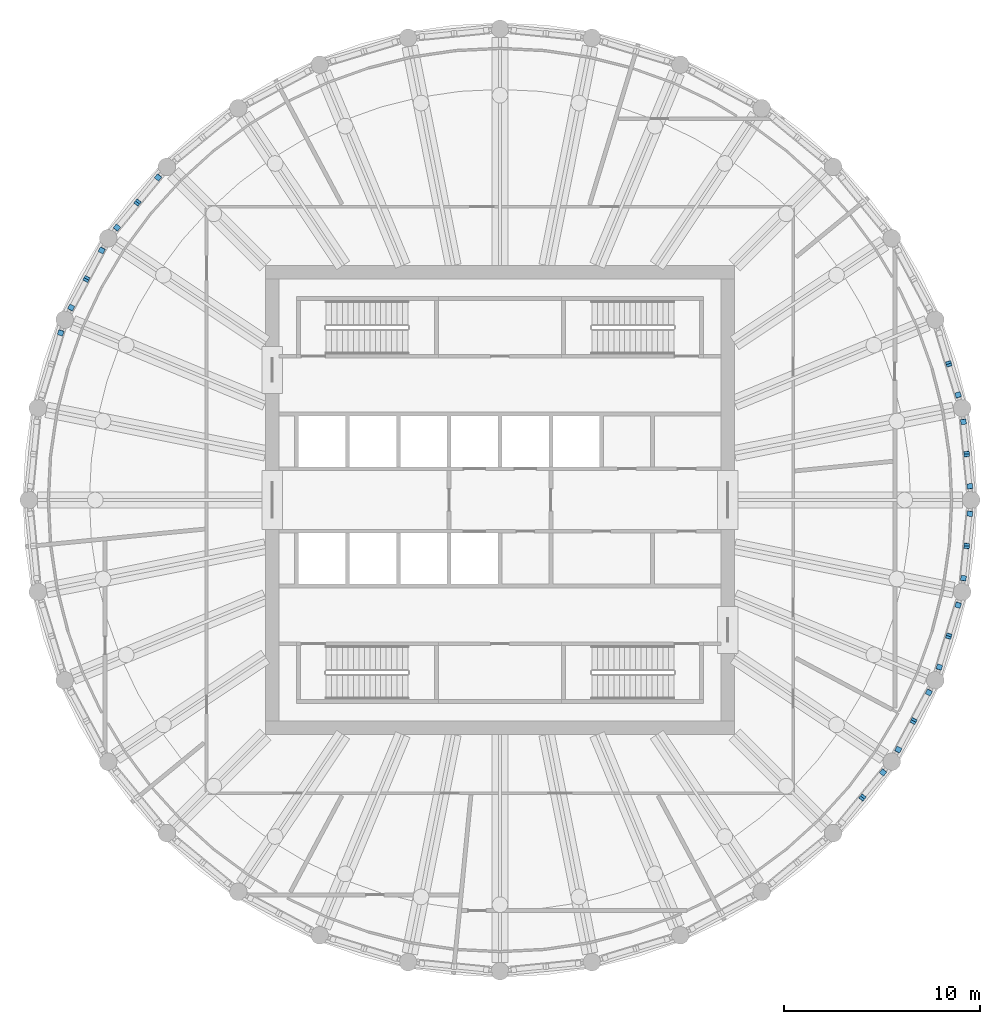
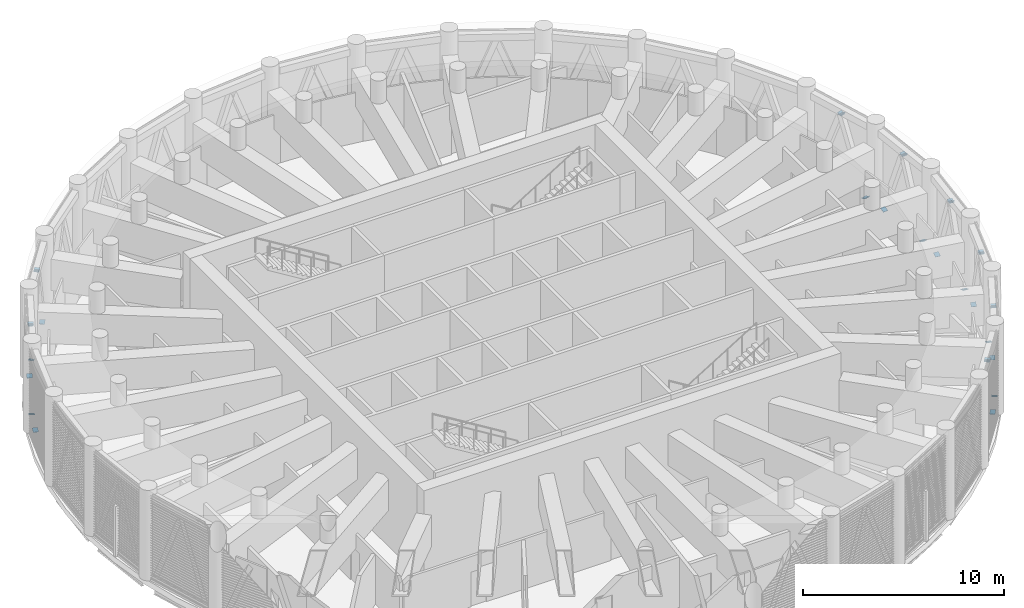
# One storey, part 10 of 19: 31 discrete accessories.
"""IFC4 building model written with IfcOpenShell, lengths in metres."""

from ifc_helpers import new_model, si_unit, direction, frame, origin, origin_2d, place, context, subcontext, project, spatial, rectangle, extrude, material, material_profile, profile_set, type_object, element, save


model = new_model("IFC4")

# Units and contexts
model_context = context("Model", 3, precision=1e-05, world=origin(), true_north=direction((0.0, 1.0)))
body_context = subcontext(model_context, "Body", "Model", "MODEL_VIEW")
ifc_project = project(units=[si_unit("LENGTHUNIT", "METRE"), si_unit("AREAUNIT", "SQUARE_METRE"), si_unit("VOLUMEUNIT", "CUBIC_METRE"), si_unit("PLANEANGLEUNIT", "RADIAN"), si_unit("MASSUNIT", "GRAM", prefix="KILO")], contexts=[model_context])

# Site, building, storey
site_placement = place(None, origin())
site = spatial("IfcSite", under=ifc_project, at=site_placement, CompositionType="ELEMENT")
building_placement = place(site_placement, origin())
building = spatial("IfcBuilding", under=site, at=building_placement, Name="Corvane Civic Tower", CompositionType="ELEMENT")
storey_placement = place(building_placement, frame((0.0, 0.0, 319.0)))
storey = spatial("IfcBuildingStorey", under=building, at=storey_placement, Name="L76", CompositionType="ELEMENT", Elevation=319.0)

# Discrete accessories
ifc_material = material(Name="Steel ASTM A572 Gr 50", Category="steel")
ifc_material_profile = material_profile(ifc_material, rectangle(XDim=0.2802734375, YDim=0.2802734375, at=origin_2d()), Name="GUSSET PLATE 25 IN HSS12X12X1/2")
ifc_profile_set = profile_set([ifc_material_profile], Name="Steel ASTM A572 Gr 50")
discrete_accessory_type = type_object("IfcDiscreteAccessoryType", Name="GUSSET PLATE 25 IN HSS12X12X1/2", PredefinedType="BRACKET", material=ifc_profile_set)
discrete_accessory_1_placement = place(storey_placement, frame((22.951171875, 6.962158203125, 4.74365234375), z_axis=(-0.107033469557, 0.340561039499, -0.934110279769), x_axis=(-0.953993716901, -0.29982659674, 0.0)))
element("IfcDiscreteAccessory", 1, at=discrete_accessory_1_placement, inside=storey, type_object=discrete_accessory_type, Name="Gusset plate BD1 end B", PredefinedType="BRACKET", context=body_context, shape_type="SweptSolid", body=[
    extrude(rectangle(XDim=0.2802734375, YDim=0.2802734375, at=origin_2d()), origin(), (0.0, 0.0, 1.0), 0.025146484375),
])
discrete_accessory_2_placement = place(storey_placement, frame((23.433837890625, 5.37158203125, 0.406494140625), z_axis=(-0.108014576703, 0.343682744054, 0.932853162432), x_axis=(-0.953993716901, -0.29982659674, 0.0)))
element("IfcDiscreteAccessory", 2, at=discrete_accessory_2_placement, inside=storey, type_object=discrete_accessory_type, Name="Gusset plate BD1 end A", PredefinedType="BRACKET", context=body_context, shape_type="SweptSolid", body=[
    extrude(rectangle(XDim=0.2802734375, YDim=0.2802734375, at=origin_2d()), origin(), (0.0, 0.0, 1.0), 0.02490234375),
])
discrete_accessory_3_placement = place(storey_placement, frame((22.951171875, 6.962158203125, 4.74365234375), z_axis=(0.107033469557, -0.340561039499, -0.934110279769), x_axis=(0.953993716901, 0.29982659674, 0.0)))
element("IfcDiscreteAccessory", 3, at=discrete_accessory_3_placement, inside=storey, type_object=discrete_accessory_type, Name="Gusset plate BD1 end B", PredefinedType="BRACKET", context=body_context, shape_type="SweptSolid", body=[
    extrude(rectangle(XDim=0.2802734375, YDim=0.2802734375, at=origin_2d()), origin(), (0.0, 0.0, 1.0), 0.025146484375),
])
discrete_accessory_4_placement = place(storey_placement, frame((23.70556640625, 4.005126953125, 0.406494140625), z_axis=(0.039204383295, -0.36264054548, 0.931104103258), x_axis=(0.994207047566, 0.10748184298, 0.0)))
element("IfcDiscreteAccessory", 4, at=discrete_accessory_4_placement, inside=storey, type_object=discrete_accessory_type, Name="Gusset plate BD1 end A", PredefinedType="BRACKET", context=body_context, shape_type="SweptSolid", body=[
    extrude(rectangle(XDim=0.2802734375, YDim=0.2802734375, at=origin_2d()), origin(), (0.0, 0.0, 1.0), 0.02490234375),
])
discrete_accessory_5_placement = place(storey_placement, frame((23.868408203125, 2.350830078125, 4.74365234375), z_axis=(-0.029247769029, 0.350973228344, -0.935928608919), x_axis=(-0.996545758245, -0.083045479854, 0.0)))
element("IfcDiscreteAccessory", 5, at=discrete_accessory_5_placement, inside=storey, type_object=discrete_accessory_type, Name="Gusset plate BD1 end B", PredefinedType="BRACKET", context=body_context, shape_type="SweptSolid", body=[
    extrude(rectangle(XDim=0.2802734375, YDim=0.2802734375, at=origin_2d()), origin(), (0.0, 0.0, 1.0), 0.025146484375),
])
discrete_accessory_6_placement = place(storey_placement, frame((24.031494140625, 0.696533203125, 0.406494140625), z_axis=(-0.039204383295, 0.36264054548, 0.931104103258), x_axis=(-0.994207047566, -0.10748184298, 0.0)))
element("IfcDiscreteAccessory", 6, at=discrete_accessory_6_placement, inside=storey, type_object=discrete_accessory_type, Name="Gusset plate BD1 end A", PredefinedType="BRACKET", context=body_context, shape_type="SweptSolid", body=[
    extrude(rectangle(XDim=0.2802734375, YDim=0.2802734375, at=origin_2d()), origin(), (0.0, 0.0, 1.0), 0.02490234375),
])
discrete_accessory_7_placement = place(storey_placement, frame((23.868408203125, 2.350830078125, 4.74365234375), z_axis=(0.038984058779, -0.350856529013, -0.935617410703), x_axis=(0.993883734674, 0.110431526075, 0.0)))
element("IfcDiscreteAccessory", 7, at=discrete_accessory_7_placement, inside=storey, type_object=discrete_accessory_type, Name="Gusset plate BD1 end B", PredefinedType="BRACKET", context=body_context, shape_type="SweptSolid", body=[
    extrude(rectangle(XDim=0.2802734375, YDim=0.2802734375, at=origin_2d()), origin(), (0.0, 0.0, 1.0), 0.025146484375),
])
discrete_accessory_8_placement = place(storey_placement, frame((24.031494140625, -0.696533203125, 0.406494140625), z_axis=(-0.039204383295, -0.36264054548, 0.931104103258), x_axis=(0.994207047566, -0.10748184298, 0.0)))
element("IfcDiscreteAccessory", 8, at=discrete_accessory_8_placement, inside=storey, type_object=discrete_accessory_type, Name="Gusset plate BD1 end A", PredefinedType="BRACKET", context=body_context, shape_type="SweptSolid", body=[
    extrude(rectangle(XDim=0.2802734375, YDim=0.2802734375, at=origin_2d()), origin(), (0.0, 0.0, 1.0), 0.02490234375),
])
discrete_accessory_9_placement = place(storey_placement, frame((23.868408203125, -2.350830078125, 4.74365234375), z_axis=(0.038984058779, 0.350856529013, -0.935617410703), x_axis=(-0.993883734674, 0.110431526075, 0.0)))
element("IfcDiscreteAccessory", 9, at=discrete_accessory_9_placement, inside=storey, type_object=discrete_accessory_type, Name="Gusset plate BD1 end B", PredefinedType="BRACKET", context=body_context, shape_type="SweptSolid", body=[
    extrude(rectangle(XDim=0.2802734375, YDim=0.2802734375, at=origin_2d()), origin(), (0.0, 0.0, 1.0), 0.025146484375),
])
discrete_accessory_10_placement = place(storey_placement, frame((23.70556640625, -4.005126953125, 0.406494140625), z_axis=(0.039204383295, 0.36264054548, 0.931104103258), x_axis=(-0.994207047566, 0.10748184298, 0.0)))
element("IfcDiscreteAccessory", 10, at=discrete_accessory_10_placement, inside=storey, type_object=discrete_accessory_type, Name="Gusset plate BD1 end A", PredefinedType="BRACKET", context=body_context, shape_type="SweptSolid", body=[
    extrude(rectangle(XDim=0.2802734375, YDim=0.2802734375, at=origin_2d()), origin(), (0.0, 0.0, 1.0), 0.02490234375),
])
discrete_accessory_11_placement = place(storey_placement, frame((23.868408203125, -2.350830078125, 4.74365234375), z_axis=(-0.029247769029, -0.350973228344, -0.935928608919), x_axis=(0.996545758245, -0.083045479854, 0.0)))
element("IfcDiscreteAccessory", 11, at=discrete_accessory_11_placement, inside=storey, type_object=discrete_accessory_type, Name="Gusset plate BD1 end B", PredefinedType="BRACKET", context=body_context, shape_type="SweptSolid", body=[
    extrude(rectangle(XDim=0.2802734375, YDim=0.2802734375, at=origin_2d()), origin(), (0.0, 0.0, 1.0), 0.025146484375),
])
discrete_accessory_12_placement = place(storey_placement, frame((23.433837890625, -5.37158203125, 0.406494140625), z_axis=(-0.108014576703, -0.343682744054, 0.932853162432), x_axis=(0.953993716901, -0.29982659674, 0.0)))
element("IfcDiscreteAccessory", 12, at=discrete_accessory_12_placement, inside=storey, type_object=discrete_accessory_type, Name="Gusset plate BD1 end A", PredefinedType="BRACKET", context=body_context, shape_type="SweptSolid", body=[
    extrude(rectangle(XDim=0.2802734375, YDim=0.2802734375, at=origin_2d()), origin(), (0.0, 0.0, 1.0), 0.02490234375),
])
discrete_accessory_13_placement = place(storey_placement, frame((22.951171875, -6.962158203125, 4.74365234375), z_axis=(0.107033469557, 0.340561039499, -0.934110279769), x_axis=(-0.953993716901, 0.29982659674, 0.0)))
element("IfcDiscreteAccessory", 13, at=discrete_accessory_13_placement, inside=storey, type_object=discrete_accessory_type, Name="Gusset plate BD1 end B", PredefinedType="BRACKET", context=body_context, shape_type="SweptSolid", body=[
    extrude(rectangle(XDim=0.2802734375, YDim=0.2802734375, at=origin_2d()), origin(), (0.0, 0.0, 1.0), 0.025146484375),
])
discrete_accessory_14_placement = place(storey_placement, frame((22.468505859375, -8.552734375, 0.406494140625), z_axis=(0.108014576703, 0.343682744054, 0.932853162432), x_axis=(-0.953993716901, 0.29982659674, 0.0)))
element("IfcDiscreteAccessory", 14, at=discrete_accessory_14_placement, inside=storey, type_object=discrete_accessory_type, Name="Gusset plate BD1 end A", PredefinedType="BRACKET", context=body_context, shape_type="SweptSolid", body=[
    extrude(rectangle(XDim=0.2802734375, YDim=0.2802734375, at=origin_2d()), origin(), (0.0, 0.0, 1.0), 0.02490234375),
])
discrete_accessory_15_placement = place(storey_placement, frame((22.951171875, -6.962158203125, 4.74365234375), z_axis=(-0.107033469557, -0.340561039499, -0.934110279769), x_axis=(0.953993716901, -0.29982659674, 0.0)))
element("IfcDiscreteAccessory", 15, at=discrete_accessory_15_placement, inside=storey, type_object=discrete_accessory_type, Name="Gusset plate BD1 end B", PredefinedType="BRACKET", context=body_context, shape_type="SweptSolid", body=[
    extrude(rectangle(XDim=0.2802734375, YDim=0.2802734375, at=origin_2d()), origin(), (0.0, 0.0, 1.0), 0.025146484375),
])
discrete_accessory_16_placement = place(storey_placement, frame((21.935302734375, -9.840087890625, 0.406494140625), z_axis=(-0.167197838036, -0.314725342185, 0.934340859613), x_axis=(0.883115719457, -0.469155225962, 0.0)))
element("IfcDiscreteAccessory", 16, at=discrete_accessory_16_placement, inside=storey, type_object=discrete_accessory_type, Name="Gusset plate BD1 end A", PredefinedType="BRACKET", context=body_context, shape_type="SweptSolid", body=[
    extrude(rectangle(XDim=0.2802734375, YDim=0.2802734375, at=origin_2d()), origin(), (0.0, 0.0, 1.0), 0.02490234375),
])
discrete_accessory_17_placement = place(storey_placement, frame((21.15185546875, -11.305908203125, 4.74365234375), z_axis=(0.165674381725, 0.311857659717, -0.93557297915), x_axis=(-0.883115719457, 0.469155225962, 0.0)))
element("IfcDiscreteAccessory", 17, at=discrete_accessory_17_placement, inside=storey, type_object=discrete_accessory_type, Name="Gusset plate BD1 end B", PredefinedType="BRACKET", context=body_context, shape_type="SweptSolid", body=[
    extrude(rectangle(XDim=0.2802734375, YDim=0.2802734375, at=origin_2d()), origin(), (0.0, 0.0, 1.0), 0.025146484375),
])
discrete_accessory_18_placement = place(storey_placement, frame((20.368408203125, -12.771728515625, 0.406494140625), z_axis=(0.167197838036, 0.314725342185, 0.934340859613), x_axis=(-0.883115719457, 0.469155225962, 0.0)))
element("IfcDiscreteAccessory", 18, at=discrete_accessory_18_placement, inside=storey, type_object=discrete_accessory_type, Name="Gusset plate BD1 end A", PredefinedType="BRACKET", context=body_context, shape_type="SweptSolid", body=[
    extrude(rectangle(XDim=0.2802734375, YDim=0.2802734375, at=origin_2d()), origin(), (0.0, 0.0, 1.0), 0.02490234375),
])
discrete_accessory_19_placement = place(storey_placement, frame((21.15185546875, -11.305908203125, 4.74365234375), z_axis=(-0.165674381725, -0.311857659717, -0.93557297915), x_axis=(0.883115719457, -0.469155225962, 0.0)))
element("IfcDiscreteAccessory", 19, at=discrete_accessory_19_placement, inside=storey, type_object=discrete_accessory_type, Name="Gusset plate BD1 end B", PredefinedType="BRACKET", context=body_context, shape_type="SweptSolid", body=[
    extrude(rectangle(XDim=0.2802734375, YDim=0.2802734375, at=origin_2d()), origin(), (0.0, 0.0, 1.0), 0.025146484375),
])
discrete_accessory_20_placement = place(storey_placement, frame((19.59423828125, -13.93017578125, 0.406494140625), z_axis=(-0.225587789762, -0.284436778396, 0.931775653366), x_axis=(0.78349767909, -0.621394711002, 0.0)))
element("IfcDiscreteAccessory", 20, at=discrete_accessory_20_placement, inside=storey, type_object=discrete_accessory_type, Name="Gusset plate BD1 end A", PredefinedType="BRACKET", context=body_context, shape_type="SweptSolid", body=[
    extrude(rectangle(XDim=0.2802734375, YDim=0.2802734375, at=origin_2d()), origin(), (0.0, 0.0, 1.0), 0.02490234375),
])
for number, where, z_axis, x_axis, name in (
    (21, (18.539794921875, -15.21533203125, 4.74365234375), (0.223543420131, 0.281859094948, -0.933050797069), (-0.78349767909, 0.621394711002, 0.0), "Gusset plate BD1 end B"),
    (22, (18.539794921875, -15.21533203125, 4.74365234375), (-0.224147692921, -0.272875452252, -0.93557297915), (0.772726254525, -0.63473942336, 0.0), "Gusset plate BD1 end B"),
):
    element("IfcDiscreteAccessory", number, at=place(storey_placement, frame(where, z_axis=z_axis, x_axis=x_axis)), inside=storey, type_object=discrete_accessory_type, Name=name, PredefinedType="BRACKET", context=body_context, shape_type="SweptSolid", body=[
        extrude(rectangle(XDim=0.2802734375, YDim=0.2802734375, at=origin_2d()), origin(), (0.0, 0.0, 1.0), 0.025146484375),
    ])
for number, where, z_axis, x_axis, name in (
    (23, (-22.468505859375, 8.552734375, 0.406494140625), (-0.108014576703, -0.343682744054, 0.932853162432), (0.953993716901, -0.29982659674, 0.0), "Gusset plate BD1 end A"),
    (24, (-21.935302734375, 9.840087890625, 0.406494140625), (0.167197838036, 0.314725342185, 0.934340859613), (-0.883115719457, 0.469155225962, 0.0), "Gusset plate BD1 end A"),
):
    element("IfcDiscreteAccessory", number, at=place(storey_placement, frame(where, z_axis=z_axis, x_axis=x_axis)), inside=storey, type_object=discrete_accessory_type, Name=name, PredefinedType="BRACKET", context=body_context, shape_type="SweptSolid", body=[
        extrude(rectangle(XDim=0.2802734375, YDim=0.2802734375, at=origin_2d()), origin(), (0.0, 0.0, 1.0), 0.02490234375),
    ])
discrete_accessory_21_placement = place(storey_placement, frame((-21.15185546875, 11.305908203125, 4.74365234375), z_axis=(-0.165674381725, -0.311857659717, -0.93557297915), x_axis=(0.883115719457, -0.469155225962, 0.0)))
element("IfcDiscreteAccessory", 25, at=discrete_accessory_21_placement, inside=storey, type_object=discrete_accessory_type, Name="Gusset plate BD1 end B", PredefinedType="BRACKET", context=body_context, shape_type="SweptSolid", body=[
    extrude(rectangle(XDim=0.2802734375, YDim=0.2802734375, at=origin_2d()), origin(), (0.0, 0.0, 1.0), 0.025146484375),
])
discrete_accessory_22_placement = place(storey_placement, frame((-20.368408203125, 12.771728515625, 0.406494140625), z_axis=(-0.167197838036, -0.314725342185, 0.934340859613), x_axis=(0.883115719457, -0.469155225962, 0.0)))
element("IfcDiscreteAccessory", 26, at=discrete_accessory_22_placement, inside=storey, type_object=discrete_accessory_type, Name="Gusset plate BD1 end A", PredefinedType="BRACKET", context=body_context, shape_type="SweptSolid", body=[
    extrude(rectangle(XDim=0.2802734375, YDim=0.2802734375, at=origin_2d()), origin(), (0.0, 0.0, 1.0), 0.02490234375),
])
discrete_accessory_23_placement = place(storey_placement, frame((-21.15185546875, 11.305908203125, 4.74365234375), z_axis=(0.165674381725, 0.311857659717, -0.93557297915), x_axis=(-0.883115719457, 0.469155225962, 0.0)))
element("IfcDiscreteAccessory", 27, at=discrete_accessory_23_placement, inside=storey, type_object=discrete_accessory_type, Name="Gusset plate BD1 end B", PredefinedType="BRACKET", context=body_context, shape_type="SweptSolid", body=[
    extrude(rectangle(XDim=0.2802734375, YDim=0.2802734375, at=origin_2d()), origin(), (0.0, 0.0, 1.0), 0.025146484375),
])
discrete_accessory_24_placement = place(storey_placement, frame((-19.59423828125, 13.93017578125, 0.406494140625), z_axis=(0.225587789762, 0.284436778396, 0.931775653366), x_axis=(-0.78349767909, 0.621394711002, 0.0)))
element("IfcDiscreteAccessory", 28, at=discrete_accessory_24_placement, inside=storey, type_object=discrete_accessory_type, Name="Gusset plate BD1 end A", PredefinedType="BRACKET", context=body_context, shape_type="SweptSolid", body=[
    extrude(rectangle(XDim=0.2802734375, YDim=0.2802734375, at=origin_2d()), origin(), (0.0, 0.0, 1.0), 0.02490234375),
])
discrete_accessory_25_placement = place(storey_placement, frame((-18.539794921875, 15.21533203125, 4.74365234375), z_axis=(-0.223543420131, -0.281859094948, -0.933050797069), x_axis=(0.78349767909, -0.621394711002, 0.0)))
element("IfcDiscreteAccessory", 29, at=discrete_accessory_25_placement, inside=storey, type_object=discrete_accessory_type, Name="Gusset plate BD1 end B", PredefinedType="BRACKET", context=body_context, shape_type="SweptSolid", body=[
    extrude(rectangle(XDim=0.2802734375, YDim=0.2802734375, at=origin_2d()), origin(), (0.0, 0.0, 1.0), 0.025146484375),
])
discrete_accessory_26_placement = place(storey_placement, frame((-17.4853515625, 16.500244140625, 0.406494140625), z_axis=(-0.225587789762, -0.284436778396, 0.931775653366), x_axis=(0.78349767909, -0.621394711002, 0.0)))
element("IfcDiscreteAccessory", 30, at=discrete_accessory_26_placement, inside=storey, type_object=discrete_accessory_type, Name="Gusset plate BD1 end A", PredefinedType="BRACKET", context=body_context, shape_type="SweptSolid", body=[
    extrude(rectangle(XDim=0.2802734375, YDim=0.2802734375, at=origin_2d()), origin(), (0.0, 0.0, 1.0), 0.02490234375),
])
discrete_accessory_27_placement = place(storey_placement, frame((-18.539794921875, 15.21533203125, 4.74365234375), z_axis=(0.224147692921, 0.272875452252, -0.93557297915), x_axis=(-0.772726254525, 0.63473942336, 0.0)))
element("IfcDiscreteAccessory", 31, at=discrete_accessory_27_placement, inside=storey, type_object=discrete_accessory_type, Name="Gusset plate BD1 end B", PredefinedType="BRACKET", context=body_context, shape_type="SweptSolid", body=[
    extrude(rectangle(XDim=0.2802734375, YDim=0.2802734375, at=origin_2d()), origin(), (0.0, 0.0, 1.0), 0.025146484375),
])

save(model, "model.ifc")
